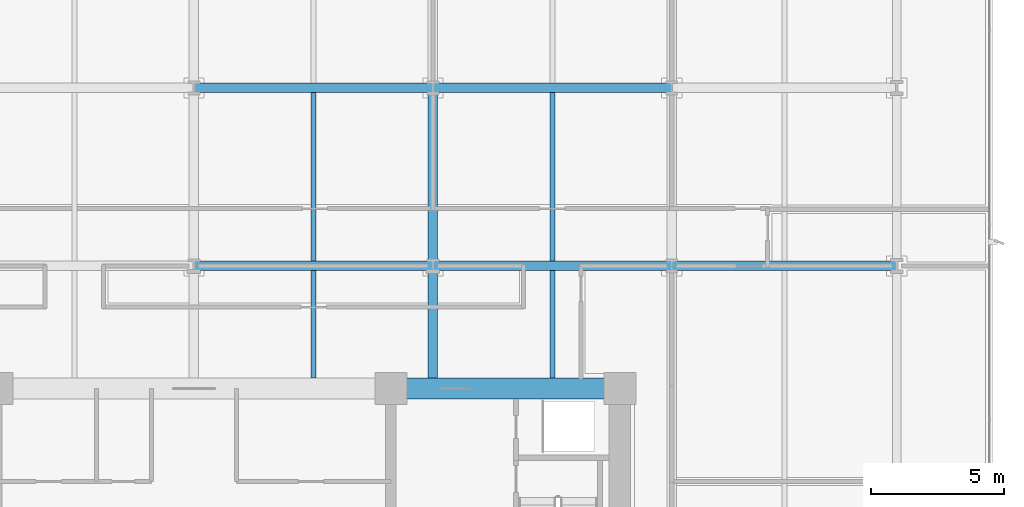
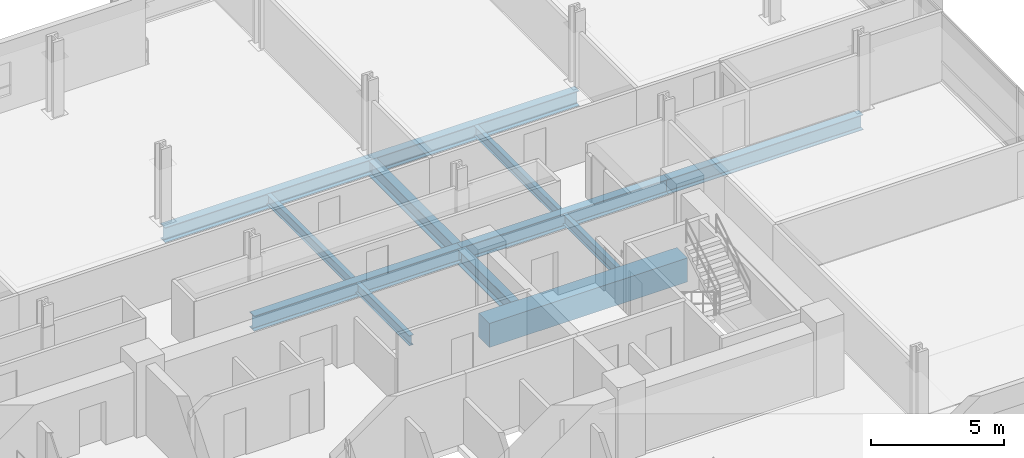
# One storey, part 7 of 21: 12 beams.
"""IFC4 building model written with IfcOpenShell, lengths in metres."""

from ifc_helpers import new_model, si_unit, direction, frame, origin, origin_2d, place, context, subcontext, project, spatial, rectangle, i_section, extrude, material, material_profile, profile_set, type_object, element, save


model = new_model("IFC4")

# Units and contexts
model_context = context("Model", 3, precision=1e-05, world=origin(), true_north=direction((0.0, 1.0)))
body_context = subcontext(model_context, "Body", "Model", "MODEL_VIEW")
ifc_project = project(units=[si_unit("LENGTHUNIT", "METRE"), si_unit("AREAUNIT", "SQUARE_METRE"), si_unit("VOLUMEUNIT", "CUBIC_METRE"), si_unit("PLANEANGLEUNIT", "RADIAN"), si_unit("MASSUNIT", "GRAM", prefix="KILO")], contexts=[model_context])

# Site, building, storey
site_placement = place(None, origin())
site = spatial("IfcSite", under=ifc_project, at=site_placement, CompositionType="ELEMENT")
building_placement = place(site_placement, origin())
building = spatial("IfcBuilding", under=site, at=building_placement, Name="Solmavex Isthmus Hotel", CompositionType="ELEMENT")
storey_placement = place(building_placement, frame((0.0, 0.0, 60.89990234375)))
storey = spatial("IfcBuildingStorey", under=building, at=storey_placement, Name="L16", CompositionType="ELEMENT", Elevation=60.89990234375)

# Beams
ifc_material_1 = material(Name="Steel ASTM A992 Grade 50", Category="steel")
ifc_material_profile_1 = material_profile(ifc_material_1, i_section(OverallWidth=0.354736328125, OverallDepth=0.695556640625, WebThickness=0.015380859375, FlangeThickness=0.02490234375, FilletRadius=0.017822265625, at=origin_2d()), Name="W27X146")
ifc_profile_set_1 = profile_set([ifc_material_profile_1], Name="Steel ASTM A992 Grade 50")
beam_type_1 = type_object("IfcBeamType", Name="BM-BG-W27X146", PredefinedType="BEAM", material=ifc_profile_set_1)
beam_1_placement = place(storey_placement, frame((0.0, 2.10009765625, -0.607666015625), z_axis=(1.0, 0.0, 0.0), x_axis=(0.0, 1.0, 0.0)))
element("IfcBeam", 1, at=beam_1_placement, inside=storey, type_object=beam_type_1, Name="Floor Girder L16-UG10", PredefinedType="BEAM", context=body_context, shape_type="SweptSolid", body=[
    extrude(i_section(OverallWidth=0.354736328125, OverallDepth=0.695556640625, WebThickness=0.015380859375, FlangeThickness=0.02490234375, FilletRadius=0.017822265625, at=origin_2d()), origin(), (0.0, 0.0, 1.0), 8.97607421875),
])
beam_2_placement = place(storey_placement, frame((8.97607421875, 2.10009765625, -0.607666015625), z_axis=(1.0, 0.0, 0.0), x_axis=(0.0, 1.0, 0.0)))
element("IfcBeam", 2, at=beam_2_placement, inside=storey, type_object=beam_type_1, Name="Floor Girder L16-UG11", PredefinedType="BEAM", context=body_context, shape_type="SweptSolid", body=[
    extrude(i_section(OverallWidth=0.354736328125, OverallDepth=0.695556640625, WebThickness=0.015380859375, FlangeThickness=0.02490234375, FilletRadius=0.017822265625, at=origin_2d()), origin(), (0.0, 0.0, 1.0), 8.975830078125),
])
beam_3_placement = place(storey_placement, frame((17.951904296875, 2.10009765625, -0.607666015625), z_axis=(1.0, 0.0, 0.0), x_axis=(0.0, 1.0, 0.0)))
element("IfcBeam", 3, at=beam_3_placement, inside=storey, type_object=beam_type_1, Name="Floor Girder L16-UG12", PredefinedType="BEAM", context=body_context, shape_type="SweptSolid", body=[
    extrude(i_section(OverallWidth=0.354736328125, OverallDepth=0.695556640625, WebThickness=0.015380859375, FlangeThickness=0.02490234375, FilletRadius=0.017822265625, at=origin_2d()), origin(), (0.0, 0.0, 1.0), 8.447998046875),
])
beam_4_placement = place(storey_placement, frame((0.0, 8.7880859375, -0.607666015625), z_axis=(1.0, 0.0, 0.0), x_axis=(0.0, 1.0, 0.0)))
element("IfcBeam", 4, at=beam_4_placement, inside=storey, type_object=beam_type_1, Name="Floor Girder L16-UG16", PredefinedType="BEAM", context=body_context, shape_type="SweptSolid", body=[
    extrude(i_section(OverallWidth=0.354736328125, OverallDepth=0.695556640625, WebThickness=0.015380859375, FlangeThickness=0.02490234375, FilletRadius=0.017822265625, at=origin_2d()), origin(), (0.0, 0.0, 1.0), 8.97607421875),
])
beam_5_placement = place(storey_placement, frame((8.97607421875, 8.7880859375, -0.607666015625), z_axis=(1.0, 0.0, 0.0), x_axis=(0.0, 1.0, 0.0)))
element("IfcBeam", 5, at=beam_5_placement, inside=storey, type_object=beam_type_1, Name="Floor Girder L16-UG17", PredefinedType="BEAM", context=body_context, shape_type="SweptSolid", body=[
    extrude(i_section(OverallWidth=0.354736328125, OverallDepth=0.695556640625, WebThickness=0.015380859375, FlangeThickness=0.02490234375, FilletRadius=0.017822265625, at=origin_2d()), origin(), (0.0, 0.0, 1.0), 8.975830078125),
])
beam_6_placement = place(storey_placement, frame((8.97607421875, -2.10009765625, -0.607666015625), z_axis=(0.0, 1.0, 0.0), x_axis=(-1.0, 0.0, 0.0)))
element("IfcBeam", 6, at=beam_6_placement, inside=storey, type_object=beam_type_1, Name="Floor Beam L16-VG40", PredefinedType="BEAM", context=body_context, shape_type="SweptSolid", body=[
    extrude(i_section(OverallWidth=0.354736328125, OverallDepth=0.695556640625, WebThickness=0.015380859375, FlangeThickness=0.02490234375, FilletRadius=0.017822265625, at=origin_2d()), origin(), (0.0, 0.0, 1.0), 4.022705078125),
])
beam_7_placement = place(storey_placement, frame((8.97607421875, 2.27734375, -0.607666015625), z_axis=(0.0, 1.0, 0.0), x_axis=(-1.0, 0.0, 0.0)))
element("IfcBeam", 7, at=beam_7_placement, inside=storey, type_object=beam_type_1, Name="Floor Beam L16-VG41", PredefinedType="BEAM", context=body_context, shape_type="SweptSolid", body=[
    extrude(i_section(OverallWidth=0.354736328125, OverallDepth=0.695556640625, WebThickness=0.015380859375, FlangeThickness=0.02490234375, FilletRadius=0.017822265625, at=origin_2d()), origin(), (0.0, 0.0, 1.0), 6.333251953125),
])
ifc_material_profile_2 = material_profile(ifc_material_1, i_section(OverallWidth=0.1904296875, OverallDepth=0.456787109375, WebThickness=0.009033203125, FlangeThickness=0.014404296875, FilletRadius=0.0126953125, at=origin_2d()), Name="W18X50")
ifc_profile_set_2 = profile_set([ifc_material_profile_2], Name="Steel ASTM A992 Grade 50")
beam_type_2 = type_object("IfcBeamType", Name="BM-BJ-W18X50", PredefinedType="JOIST", material=ifc_profile_set_2)
beam_8_placement = place(storey_placement, frame((4.488037109375, -2.10009765625, -0.48828125), z_axis=(0.0, 1.0, 0.0), x_axis=(-1.0, 0.0, 0.0)))
element("IfcBeam", 8, at=beam_8_placement, inside=storey, type_object=beam_type_2, Name="Secondary Floor Joist L16-J13", PredefinedType="JOIST", context=body_context, shape_type="SweptSolid", body=[
    extrude(i_section(OverallWidth=0.1904296875, OverallDepth=0.456787109375, WebThickness=0.009033203125, FlangeThickness=0.014404296875, FilletRadius=0.0126953125, at=origin_2d()), origin(), (0.0, 0.0, 1.0), 4.022705078125),
])
beam_9_placement = place(storey_placement, frame((4.488037109375, 2.27734375, -0.48828125), z_axis=(0.0, 1.0, 0.0), x_axis=(-1.0, 0.0, 0.0)))
element("IfcBeam", 9, at=beam_9_placement, inside=storey, type_object=beam_type_2, Name="Secondary Floor Joist L16-J14", PredefinedType="JOIST", context=body_context, shape_type="SweptSolid", body=[
    extrude(i_section(OverallWidth=0.1904296875, OverallDepth=0.456787109375, WebThickness=0.009033203125, FlangeThickness=0.014404296875, FilletRadius=0.0126953125, at=origin_2d()), origin(), (0.0, 0.0, 1.0), 6.333251953125),
])
beam_10_placement = place(storey_placement, frame((13.464111328125, -2.10009765625, -0.48828125), z_axis=(0.0, 1.0, 0.0), x_axis=(-1.0, 0.0, 0.0)))
element("IfcBeam", 10, at=beam_10_placement, inside=storey, type_object=beam_type_2, Name="Secondary Floor Joist L16-J17", PredefinedType="JOIST", context=body_context, shape_type="SweptSolid", body=[
    extrude(i_section(OverallWidth=0.1904296875, OverallDepth=0.456787109375, WebThickness=0.009033203125, FlangeThickness=0.014404296875, FilletRadius=0.0126953125, at=origin_2d()), origin(), (0.0, 0.0, 1.0), 4.022705078125),
])
beam_11_placement = place(storey_placement, frame((13.464111328125, 2.27734375, -0.48828125), z_axis=(0.0, 1.0, 0.0), x_axis=(-1.0, 0.0, 0.0)))
element("IfcBeam", 11, at=beam_11_placement, inside=storey, type_object=beam_type_2, Name="Secondary Floor Joist L16-J18", PredefinedType="JOIST", context=body_context, shape_type="SweptSolid", body=[
    extrude(i_section(OverallWidth=0.1904296875, OverallDepth=0.456787109375, WebThickness=0.009033203125, FlangeThickness=0.014404296875, FilletRadius=0.0126953125, at=origin_2d()), origin(), (0.0, 0.0, 1.0), 6.333251953125),
])
ifc_material_2 = material(Name="Concrete C70/85", Category="concrete")
ifc_material_profile_3 = material_profile(ifc_material_2, rectangle(XDim=0.800048828125, YDim=1.10009765625, at=origin_2d()), Name="RC800X1100")
ifc_profile_set_3 = profile_set([ifc_material_profile_3], Name="Concrete C70/85")
beam_type_3 = type_object("IfcBeamType", Name="BM-CB-800X1100", PredefinedType="BEAM", material=ifc_profile_set_3)
beam_12_placement = place(storey_placement, frame((7.39990234375, -2.5, -0.809814453125), z_axis=(1.0, 0.0, 0.0), x_axis=(0.0, 1.0, 0.0)))
element("IfcBeam", 12, at=beam_12_placement, inside=storey, type_object=beam_type_3, Name="Core Coupling Beam L16-CB6", PredefinedType="BEAM", context=body_context, shape_type="SweptSolid", body=[
    extrude(rectangle(XDim=0.800048828125, YDim=1.10009765625, at=origin_2d()), origin(), (0.0, 0.0, 1.0), 8.60009765625),
])

save(model, "model.ifc")
